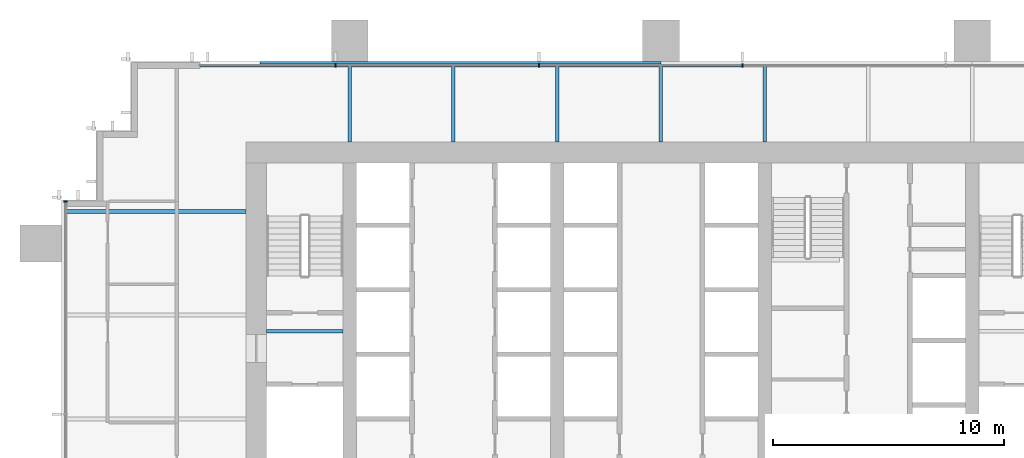
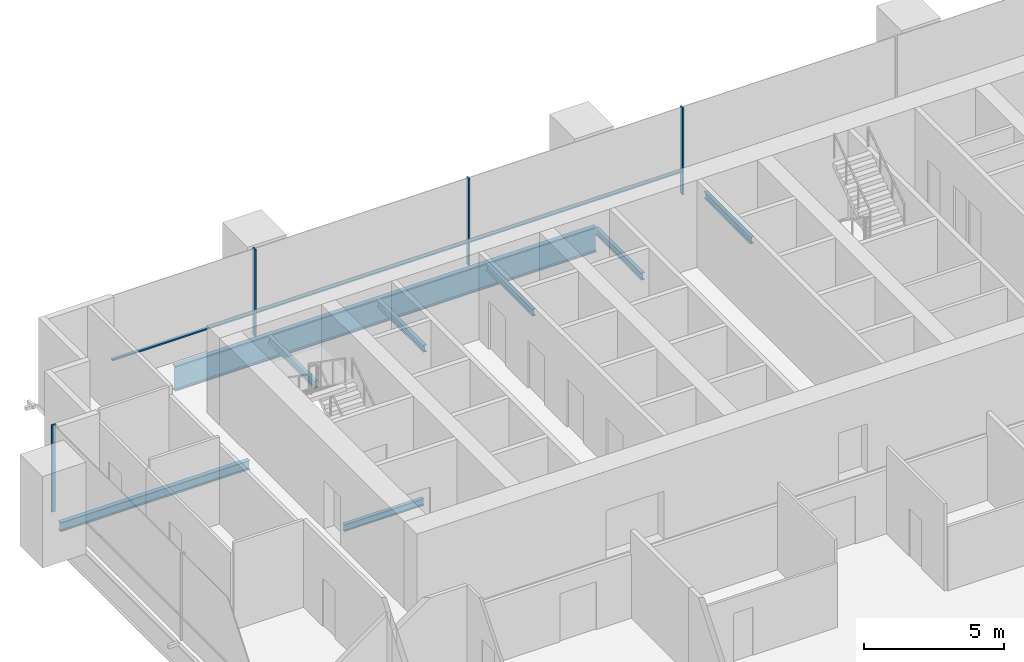
# One storey, part 8 of 17: 8 beams, 7 members, 2 elements without a shape of their own.
"""IFC4 building model written with IfcOpenShell, lengths in metres."""

import ifcopenshell
import ifcopenshell.guid

model = None  # the IFC model being written
_history = None  # IfcOwnerHistory: only IFC2X3 demands one
_inside = {}  # id of a spatial element -> (the spatial element, [elements in it])
_under = {}  # id of a project, library or spatial element -> (it, [spatial elements below it])
_declared = {}  # id of a project -> (the project, [libraries it declares])
_typed = {}  # id of a type object -> (the type object, [elements of that type])
_made_of = {}  # id of a material, layer set ... -> (it, [elements and type objects made of it])


def new_model(schema):
    """Start an empty IFC model of exactly this schema.

    Asked for "IFC4X3", IfcOpenShell would pick the latest addendum, in which some entities
    have other attributes; the version numbers below select the first issue.
    IFC2X3 requires an IfcOwnerHistory on every rooted entity: one is made here for all.
    """
    global model, _history
    if schema == "IFC4X3":
        model = ifcopenshell.file(schema_version=(4, 3, 0, 0))
    else:
        model = ifcopenshell.file(schema=schema)
    _inside.clear()
    _under.clear()
    _declared.clear()
    _typed.clear()
    _made_of.clear()
    _history = None
    if model.schema == "IFC2X3":
        org = make("IfcOrganization", Name="unknown")
        user = make(
            "IfcPersonAndOrganization",
            ThePerson=make("IfcPerson", FamilyName="unknown"),
            TheOrganization=org,
        )
        app = make(
            "IfcApplication",
            ApplicationDeveloper=org,
            Version="unknown",
            ApplicationFullName="unknown",
            ApplicationIdentifier="unknown",
        )
        _history = make(
            "IfcOwnerHistory",
            OwningUser=user,
            OwningApplication=app,
            ChangeAction="ADDED",
            CreationDate=0,
        )
    return model


def make(cls, **values):
    """One entity of the class cls with the attributes given. An attribute that is None is left unset."""
    return model.create_entity(
        cls, **{name: value for name, value in values.items() if value is not None}
    )


def rooted(cls, **values):
    """An entity with a GlobalId (a new one), such as an element, a storey or a relation."""
    return make(cls, GlobalId=ifcopenshell.guid.new(), OwnerHistory=_history, **values)


def si_unit(unit_type, name, prefix=None):
    """IfcSIUnit, for example si_unit("LENGTHUNIT", "METRE", prefix="MILLI")."""
    return make("IfcSIUnit", UnitType=unit_type, Prefix=prefix, Name=name)


def assignment(units):
    """IfcUnitAssignment: the units of a project."""
    return None if units is None else make("IfcUnitAssignment", Units=units)


def point(xyz):
    """IfcCartesianPoint."""
    return None if xyz is None else make("IfcCartesianPoint", Coordinates=xyz)


def direction(xyz):
    """IfcDirection."""
    return None if xyz is None else make("IfcDirection", DirectionRatios=xyz)


def frame(location, z_axis=None, x_axis=None):
    """IfcAxis2Placement3D, a coordinate frame: its origin and axes. An axis left out is left unset."""
    return make(
        "IfcAxis2Placement3D",
        Location=point(location),
        Axis=direction(z_axis),
        RefDirection=direction(x_axis),
    )


def frame_2d(location, x_axis=None):
    """IfcAxis2Placement2D, a coordinate frame in the plane: its origin and x axis."""
    return make(
        "IfcAxis2Placement2D", Location=point(location), RefDirection=direction(x_axis)
    )


def origin():
    """The frame at (0, 0, 0) with its axes left unset."""
    return frame((0.0, 0.0, 0.0))


def origin_2d():
    """The frame at (0, 0) in the plane with its x axis left unset."""
    return frame_2d((0.0, 0.0))


def place(relative_to, where):
    """IfcLocalPlacement: puts the frame where relative to a parent placement (None: the world)."""
    return make(
        "IfcLocalPlacement", PlacementRelTo=relative_to, RelativePlacement=where
    )


def context(
    kind, dimensions, precision=None, world=None, true_north=None, identifier=None
):
    """IfcGeometricRepresentationContext, for example the 3D "Model" context."""
    return make(
        "IfcGeometricRepresentationContext",
        ContextIdentifier=identifier,
        ContextType=kind,
        CoordinateSpaceDimension=dimensions,
        Precision=precision,
        WorldCoordinateSystem=world,
        TrueNorth=true_north,
    )


def subcontext(parent, identifier, kind, view, scale=None):
    """IfcGeometricRepresentationSubContext, for example "Body" below "Model"."""
    return make(
        "IfcGeometricRepresentationSubContext",
        ContextIdentifier=identifier,
        ContextType=kind,
        ParentContext=parent,
        TargetScale=scale,
        TargetView=view,
    )


def project(units=None, contexts=None):
    """IfcProject with its units and contexts."""
    return rooted(
        "IfcProject",
        Name="project",
        RepresentationContexts=contexts,
        UnitsInContext=assignment(units),
    )


def spatial(cls, under=None, at=None, **own):
    """A site, building, storey or space (cls), placed at a placement, below another one or the project."""
    s = rooted(cls, ObjectPlacement=at, **own)
    if under is not None:
        _under.setdefault(under.id(), (under, []))[1].append(s)
    return s


def profile(cls, at=None, kind="AREA", **sizes):
    """A parametric profile (cls). Its sizes go by their IFC names, for example OverallWidth=200.0."""
    return make(cls, ProfileType=kind, Position=at, **sizes)


def rectangle(**sizes):
    """IfcRectangleProfileDef."""
    return profile("IfcRectangleProfileDef", **sizes)


def i_section(**sizes):
    """IfcIShapeProfileDef."""
    return profile("IfcIShapeProfileDef", **sizes)


def extrude(swept, where, along, depth):
    """IfcExtrudedAreaSolid: the profile swept, set in the frame where, extruded along a direction by depth."""
    return make(
        "IfcExtrudedAreaSolid",
        SweptArea=swept,
        Position=where,
        ExtrudedDirection=direction(along),
        Depth=depth,
    )


def shape(context_of_items, identifier, shape_type, items):
    """IfcShapeRepresentation: the items that make up one representation, for example the "Body"."""
    return make(
        "IfcShapeRepresentation",
        ContextOfItems=context_of_items,
        RepresentationIdentifier=identifier,
        RepresentationType=shape_type,
        Items=items,
    )


def material(Name=None, Category=None):
    """IfcMaterial."""
    return make("IfcMaterial", Name=Name, Category=Category)


def material_profile(
    of_material, cross_section, Name=None, Category=None, Priority=None
):
    """IfcMaterialProfile: a cross section and its material."""
    return make(
        "IfcMaterialProfile",
        Name=Name,
        Material=of_material,
        Profile=cross_section,
        Priority=Priority,
        Category=Category,
    )


def profile_set(profiles, Name=None, composite=None):
    """IfcMaterialProfileSet."""
    return make(
        "IfcMaterialProfileSet",
        Name=Name,
        MaterialProfiles=profiles,
        CompositeProfile=composite,
    )


def made_of(thing, what):
    """Note that an element or type object is made of a material, layer set ...; save() writes the relation."""
    if what is not None:
        _made_of.setdefault(what.id(), (what, []))[1].append(thing)
    return thing


def type_object(cls, material=None, **own):
    """A type object (cls), such as IfcWallType, which elements share."""
    return made_of(rooted(cls, **own), material)


def element(
    cls,
    number,
    at=None,
    inside=None,
    cuts=None,
    type_object=None,
    material=None,
    context=None,
    identifier="Body",
    shape_type=None,
    held_by="IfcProductDefinitionShape",
    body=None,
    shapes=None,
    **own,
):
    """One element of the class cls, such as IfcWall. Its Tag is "e" and its number.

    at: its placement. inside: the storey or other place that contains it. cuts: it is an
    opening in that element (IfcRelVoidsElement). A single representation is given by context,
    identifier, shape_type and body (its items); several are given by shapes. held_by: the class
    of the entity that holds the representations. save() writes the other relations.
    """
    e = rooted(cls, Tag="e%d" % number, ObjectPlacement=at, **own)
    if body is not None:
        shapes = [shape(context, identifier, shape_type, body)]
    if shapes is not None:
        e.Representation = make(held_by, Representations=shapes)
    if inside is not None:
        _inside.setdefault(inside.id(), (inside, []))[1].append(e)
    if cuts is not None:
        rooted(
            "IfcRelVoidsElement", RelatingBuildingElement=cuts, RelatedOpeningElement=e
        )
    if type_object is not None:
        _typed.setdefault(type_object.id(), (type_object, []))[1].append(e)
    return made_of(e, material)


def aggregate(whole, parts):
    """IfcRelAggregates: a whole, such as a stair, and the parts it consists of."""
    return rooted("IfcRelAggregates", RelatingObject=whole, RelatedObjects=parts)


def save(model, path):
    """Write the relations noted so far, then the file.

    IfcRelAggregates (storeys below a building ...), IfcRelContainedInSpatialStructure (elements
    in a storey), IfcRelDefinesByType, IfcRelAssociatesMaterial and IfcRelDeclares: one each for
    every whole, place, type object, material and project.
    """
    for whole, parts in _under.values():
        aggregate(whole, parts)
    for where, things in _inside.values():
        rooted(
            "IfcRelContainedInSpatialStructure",
            RelatedElements=things,
            RelatingStructure=where,
        )
    for kind, things in _typed.values():
        rooted("IfcRelDefinesByType", RelatedObjects=things, RelatingType=kind)
    for what, things in _made_of.values():
        rooted("IfcRelAssociatesMaterial", RelatedObjects=things, RelatingMaterial=what)
    for by, libraries in _declared.values():
        rooted("IfcRelDeclares", RelatingContext=by, RelatedDefinitions=libraries)
    model.write(path)


model = new_model("IFC4")

# Units and contexts
model_context = context("Model", 3, precision=1e-05, world=origin(), true_north=direction((0.0, 1.0)))
body_context = subcontext(model_context, "Body", "Model", "MODEL_VIEW")
ifc_project = project(units=[si_unit("LENGTHUNIT", "METRE"), si_unit("AREAUNIT", "SQUARE_METRE"), si_unit("VOLUMEUNIT", "CUBIC_METRE"), si_unit("PLANEANGLEUNIT", "RADIAN"), si_unit("MASSUNIT", "GRAM", prefix="KILO")], contexts=[model_context])

# Site, building, storey
site_placement = place(None, origin())
site = spatial("IfcSite", under=ifc_project, at=site_placement, CompositionType="ELEMENT")
building_placement = place(site_placement, origin())
building = spatial("IfcBuilding", under=site, at=building_placement, Name="Rattan Terrace Tower", CompositionType="ELEMENT")
storey_placement = place(building_placement, frame((0.0, 0.0, 83.699951171875)))
storey = spatial("IfcBuildingStorey", under=building, at=storey_placement, Name="L18", CompositionType="ELEMENT", Elevation=83.699951171875)

# Curtain wall, members
ifc_material_1 = material(Name="Aluminium and glass", Category="aluminium")
curtain_wall_type = type_object("IfcCurtainWallType", Name="Facade Unitised Curtain Wall", PredefinedType="NOTDEFINED", material=ifc_material_1)
curtain_wall_1_placement = place(storey_placement, origin())
curtain_wall_1 = element("IfcCurtainWall", 1, at=curtain_wall_1_placement, inside=storey, type_object=curtain_wall_type, Name="Curtain wall L18-2", PredefinedType="NOTDEFINED")
ifc_material_2 = material(Name="Aluminium", Category="aluminium")
ifc_material_profile_1 = material_profile(ifc_material_2, rectangle(XDim=0.06005859375, YDim=0.159912109375, at=origin_2d()), Name="Aluminium 60x160")
ifc_profile_set_1 = profile_set([ifc_material_profile_1], Name="Aluminium")
member_type_1 = type_object("IfcMemberType", Name="Facade CW Mullion 60x160", PredefinedType="MULLION", material=ifc_profile_set_1)
member_1_placement = place(storey_placement, frame((3.531005859375, 10.830078125, 0.0), z_axis=(0.0, 0.0, 1.0), x_axis=(-1.0, 0.0, 0.0)))
member_1 = element("IfcMember", 2, at=member_1_placement, type_object=member_type_1, Name="Mullion cwl-L18-002.4", PredefinedType="MULLION", context=body_context, shape_type="SweptSolid", body=[
    extrude(rectangle(XDim=0.06005859375, YDim=0.159912109375, at=origin_2d()), origin(), (0.0, 0.0, 1.0), 3.800048828125),
])
member_2_placement = place(storey_placement, frame((-5.2919921875, 10.830078125, 0.0), z_axis=(0.0, 0.0, 1.0), x_axis=(-1.0, 0.0, 0.0)))
member_2 = element("IfcMember", 3, at=member_2_placement, type_object=member_type_1, Name="Mullion cwl-L18-002.5", PredefinedType="MULLION", context=body_context, shape_type="SweptSolid", body=[
    extrude(rectangle(XDim=0.06005859375, YDim=0.159912109375, at=origin_2d()), origin(), (0.0, 0.0, 1.0), 3.800048828125),
])
member_3_placement = place(storey_placement, frame((-14.114990234375, 10.830078125, 0.0), z_axis=(0.0, 0.0, 1.0), x_axis=(-1.0, 0.0, 0.0)))
member_3 = element("IfcMember", 4, at=member_3_placement, type_object=member_type_1, Name="Mullion cwl-L18-002.6", PredefinedType="MULLION", context=body_context, shape_type="SweptSolid", body=[
    extrude(rectangle(XDim=0.06005859375, YDim=0.159912109375, at=origin_2d()), origin(), (0.0, 0.0, 1.0), 3.800048828125),
])

# Curtain wall, member
curtain_wall_2_placement = place(storey_placement, origin())
curtain_wall_2 = element("IfcCurtainWall", 5, at=curtain_wall_2_placement, inside=storey, type_object=curtain_wall_type, Name="Curtain wall L18-3", PredefinedType="NOTDEFINED")
member_4_placement = place(storey_placement, frame((-25.830078125, 4.925048828125, 0.0), z_axis=(0.0, 0.0, 1.0), x_axis=(0.0, -1.0, 0.0)))
member_4 = element("IfcMember", 6, at=member_4_placement, type_object=member_type_1, Name="Mullion cwl-L18-003.1", PredefinedType="MULLION", context=body_context, shape_type="SweptSolid", body=[
    extrude(rectangle(XDim=0.06005859375, YDim=0.159912109375, at=origin_2d()), origin(), (0.0, 0.0, 1.0), 3.800048828125),
])
aggregate(curtain_wall_2, [member_4])

# Member
ifc_material_3 = material(Name="Aluminium", Category="aluminium")
ifc_material_profile_2 = material_profile(ifc_material_3, rectangle(XDim=0.1201171875, YDim=0.06005859375, at=origin_2d()), Name="Aluminium 120x60")
ifc_profile_set_2 = profile_set([ifc_material_profile_2], Name="Aluminium")
member_type_2 = type_object("IfcMemberType", Name="Facade CW Transom 120x60", PredefinedType="USERDEFINED", material=ifc_profile_set_2)
member_5_placement = place(storey_placement, frame((3.5009765625, 10.830078125, 1.0), z_axis=(-1.0, 0.0, 0.0), x_axis=(0.0, -1.0, 0.0)))
member_5 = element("IfcMember", 7, at=member_5_placement, type_object=member_type_2, Name="Transom cwl-L18-002.4", ObjectType="TRANSOM", PredefinedType="USERDEFINED", context=body_context, shape_type="SweptSolid", body=[
    extrude(rectangle(XDim=0.1201171875, YDim=0.06005859375, at=origin_2d()), origin(), (0.0, 0.0, 1.0), 8.762939453125),
])

member_6_placement = place(storey_placement, frame((-5.322021484375, 10.830078125, 1.0), z_axis=(-1.0, 0.0, 0.0), x_axis=(0.0, -1.0, 0.0)))
member_6 = element("IfcMember", 8, at=member_6_placement, type_object=member_type_2, Name="Transom cwl-L18-002.5", ObjectType="TRANSOM", PredefinedType="USERDEFINED", context=body_context, shape_type="SweptSolid", body=[
    extrude(rectangle(XDim=0.1201171875, YDim=0.06005859375, at=origin_2d()), origin(), (0.0, 0.0, 1.0), 8.762939453125),
])

member_7_placement = place(storey_placement, frame((-14.14501953125, 10.830078125, 1.0), z_axis=(-1.0, 0.0, 0.0), x_axis=(0.0, -1.0, 0.0)))
member_7 = element("IfcMember", 9, at=member_7_placement, type_object=member_type_2, Name="Transom cwl-L18-002.6", ObjectType="TRANSOM", PredefinedType="USERDEFINED", context=body_context, shape_type="SweptSolid", body=[
    extrude(rectangle(XDim=0.1201171875, YDim=0.06005859375, at=origin_2d()), origin(), (0.0, 0.0, 1.0), 5.85498046875),
])

aggregate(curtain_wall_1, [member_1, member_2, member_3, member_5, member_6, member_7])

# Beams
ifc_material_4 = material(Name="Steel S460", Category="steel")
ifc_material_profile_3 = material_profile(ifc_material_4, i_section(OverallWidth=0.179931640625, OverallDepth=1.10009765625, WebThickness=0.01611328125, FlangeThickness=0.050048828125, at=origin_2d()), Name="PG 1100x180-16-50")
ifc_profile_set_3 = profile_set([ifc_material_profile_3], Name="Steel S460")
beam_type_1 = type_object("IfcBeamType", Name="Frame edge girder PG 1100x180-16-50", PredefinedType="SPANDREL", material=ifc_profile_set_3)
beam_1_placement = place(storey_placement, frame((-17.39990234375, 10.909912109375, -0.75), z_axis=(1.0, 0.0, 0.0), x_axis=(0.0, 1.0, 0.0)))
element("IfcBeam", 10, at=beam_1_placement, inside=storey, type_object=beam_type_1, Name="gdr-L18-006", PredefinedType="SPANDREL", context=body_context, shape_type="SweptSolid", body=[
    extrude(i_section(OverallWidth=0.179931640625, OverallDepth=1.10009765625, WebThickness=0.01611328125, FlangeThickness=0.050048828125, at=origin_2d()), origin(), (0.0, 0.0, 1.0), 17.39990234375),
])
ifc_material_5 = material(Name="Steel S355", Category="steel")
ifc_material_profile_4 = material_profile(ifc_material_5, i_section(OverallWidth=0.14990234375, OverallDepth=0.300048828125, WebThickness=0.007080078125, FlangeThickness=0.0107421875, FilletRadius=0.014892578125, at=origin_2d()), Name="IPE 300")
ifc_profile_set_4 = profile_set([ifc_material_profile_4], Name="Steel S355")
beam_type_2 = type_object("IfcBeamType", Name="Frame floor beam IPE 300", PredefinedType="JOIST", material=ifc_profile_set_4)
beam_2_placement = place(storey_placement, frame((-17.10009765625, -0.695068359375, -0.349853515625), z_axis=(1.0, 0.0, 0.0), x_axis=(0.0, 1.0, 0.0)))
element("IfcBeam", 11, at=beam_2_placement, inside=storey, type_object=beam_type_2, Name="bm-L18-001", PredefinedType="JOIST", context=body_context, shape_type="SweptSolid", body=[
    extrude(i_section(OverallWidth=0.14990234375, OverallDepth=0.300048828125, WebThickness=0.007080078125, FlangeThickness=0.0107421875, FilletRadius=0.014892578125, at=origin_2d()), origin(), (0.0, 0.0, 1.0), 3.300048828125),
])
for number, where, z_axis, x_axis, name in (
    (12, (-13.5, 7.5, -0.349853515625), (0.0, 1.0, 0.0), (-1.0, 0.0, 0.0), "bm-L18-018"),
    (13, (-9.0, 7.5, -0.349853515625), (0.0, 1.0, 0.0), (-1.0, 0.0, 0.0), "bm-L18-019"),
    (14, (-4.5, 7.5, -0.349853515625), (0.0, 1.0, 0.0), (-1.0, 0.0, 0.0), "bm-L18-020"),
    (15, (0.0, 7.5, -0.349853515625), (0.0, 1.0, 0.0), (-1.0, 0.0, 0.0), "bm-L18-021"),
    (16, (4.5, 7.5, -0.349853515625), (0.0, 1.0, 0.0), (-1.0, 0.0, 0.0), "bm-L18-022"),
):
    element("IfcBeam", number, at=place(storey_placement, frame(where, z_axis=z_axis, x_axis=x_axis)), inside=storey, type_object=beam_type_2, Name=name, PredefinedType="JOIST", context=body_context, shape_type="SweptSolid", body=[
        extrude(i_section(OverallWidth=0.14990234375, OverallDepth=0.300048828125, WebThickness=0.007080078125, FlangeThickness=0.0107421875, FilletRadius=0.014892578125, at=origin_2d()), origin(), (0.0, 0.0, 1.0), 3.320068359375),
    ])
ifc_material_6 = material(Name="Steel S355", Category="steel")
ifc_material_profile_5 = material_profile(ifc_material_6, i_section(OverallWidth=0.179931640625, OverallDepth=0.39990234375, WebThickness=0.008544921875, FlangeThickness=0.013427734375, FilletRadius=0.02099609375, at=origin_2d()), Name="IPE 400")
ifc_profile_set_5 = profile_set([ifc_material_profile_5], Name="Steel S355")
beam_type_3 = type_object("IfcBeamType", Name="Frame floor beam IPE 400", PredefinedType="JOIST", material=ifc_profile_set_5)
beam_3_placement = place(storey_placement, frame((-25.820068359375, 4.5, -0.39990234375), z_axis=(1.0, 0.0, 0.0), x_axis=(0.0, 1.0, 0.0)))
element("IfcBeam", 17, at=beam_3_placement, inside=storey, type_object=beam_type_3, Name="bm-L18-016", PredefinedType="JOIST", context=body_context, shape_type="SweptSolid", body=[
    extrude(i_section(OverallWidth=0.179931640625, OverallDepth=0.39990234375, WebThickness=0.008544921875, FlangeThickness=0.013427734375, FilletRadius=0.02099609375, at=origin_2d()), origin(), (0.0, 0.0, 1.0), 7.820068359375),
])

save(model, "model.ifc")
